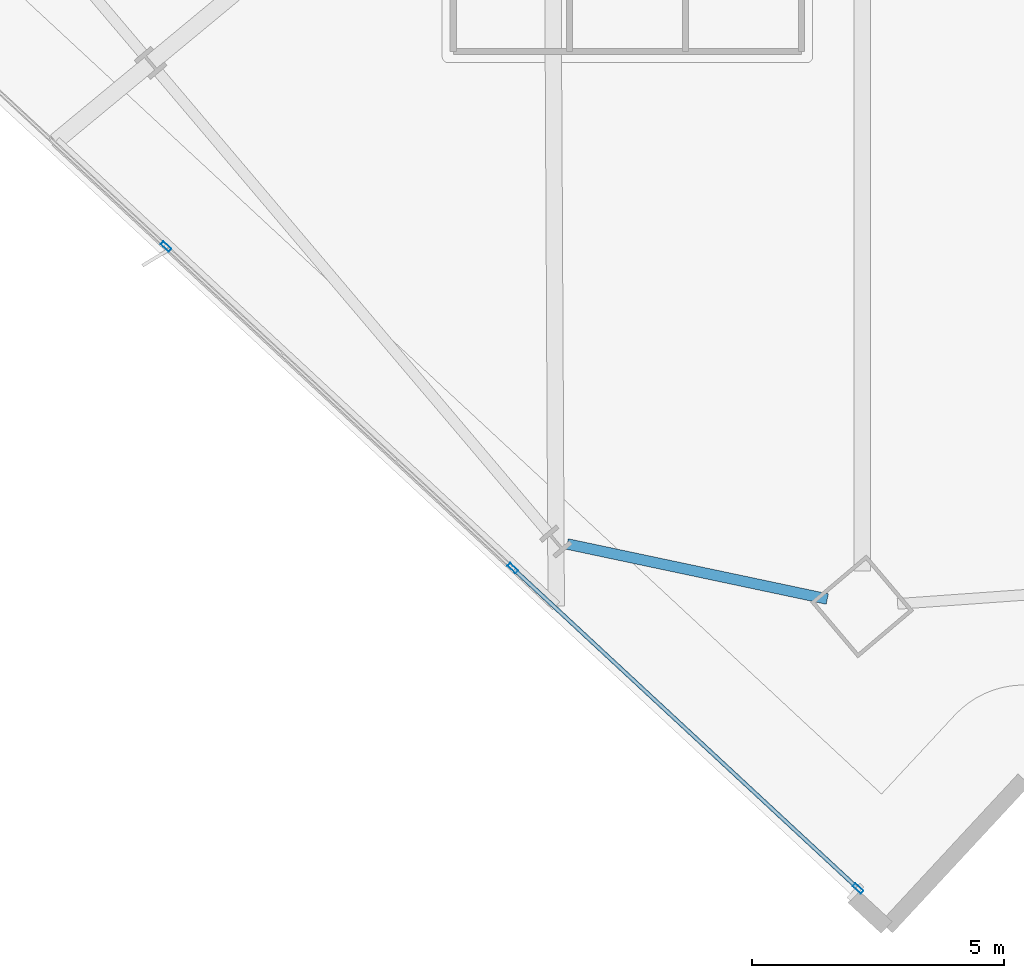
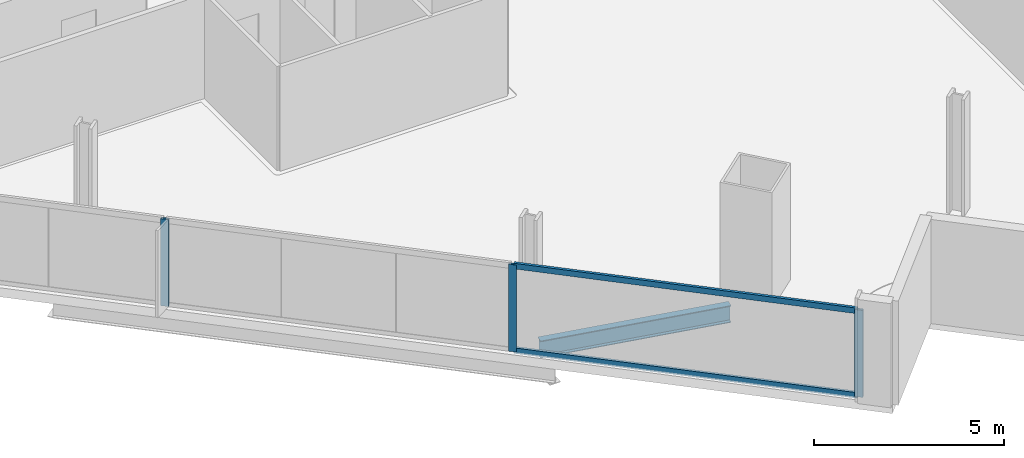
# One storey, part 2 of 32: 5 members, 1 beam, 1 element without a shape of its own.
"""IFC4 building model written with IfcOpenShell, lengths in metres."""

from ifc_helpers import new_model, si_unit, direction, frame, origin, origin_2d, place, context, subcontext, project, spatial, hollow_rectangle, i_section, extrude, material, material_profile, profile_set, type_object, element, aggregate, save


model = new_model("IFC4")

# Units and contexts
model_context = context("Model", 3, precision=1e-05, world=origin(), true_north=direction((0.0, 1.0)))
body_context = subcontext(model_context, "Body", "Model", "MODEL_VIEW")
ifc_project = project(units=[si_unit("LENGTHUNIT", "METRE"), si_unit("AREAUNIT", "SQUARE_METRE"), si_unit("VOLUMEUNIT", "CUBIC_METRE"), si_unit("PLANEANGLEUNIT", "RADIAN"), si_unit("MASSUNIT", "GRAM", prefix="KILO")], contexts=[model_context])

# Site, building, storey
site_placement = place(None, origin())
site = spatial("IfcSite", under=ifc_project, at=site_placement, CompositionType="ELEMENT")
building_placement = place(site_placement, origin())
building = spatial("IfcBuilding", under=site, at=building_placement, Name="Haldenkirk Collegiate Tower", CompositionType="ELEMENT")
storey_placement = place(building_placement, frame((0.0, 0.0, 185.699951171875)))
storey = spatial("IfcBuildingStorey", under=building, at=storey_placement, Name="L46", CompositionType="ELEMENT", Elevation=185.699951171875)

# Beam
ifc_material_1 = material(Name="Steel ASTM A992 Grade 50", Category="steel")
ifc_material_profile_1 = material_profile(ifc_material_1, i_section(OverallWidth=0.2119140625, OverallDepth=0.5439453125, WebThickness=0.01318359375, FlangeThickness=0.021240234375, at=origin_2d()), Name="W21X83")
ifc_profile_set_1 = profile_set([ifc_material_profile_1], Name="Steel ASTM A992 Grade 50")
beam_type = type_object("IfcBeamType", Name="BM-SPANDREL-W21X83", PredefinedType="SPANDREL", material=ifc_profile_set_1)
beam_placement = place(storey_placement, frame((27.306884765625, 1.89501953125, -0.56201171875), z_axis=(0.978307627668, -0.207157393416, 0.0), x_axis=(0.207157393416, 0.978307627668, 0.0)))
element("IfcBeam", 1, at=beam_placement, inside=storey, type_object=beam_type, Name="L46 perimeter spandrel beam 16", PredefinedType="SPANDREL", context=body_context, shape_type="SweptSolid", body=[
    extrude(i_section(OverallWidth=0.2119140625, OverallDepth=0.5439453125, WebThickness=0.01318359375, FlangeThickness=0.021240234375, at=origin_2d()), origin(), (0.0, 0.0, 1.0), 5.266845703125),
])

# Curtain wall, members
ifc_material_2 = material(Name="Anodised architectural bronze aluminium", Category="aluminium")
curtain_wall_type = type_object("IfcCurtainWallType", Name="CW-SYS1-CONVEX-LOW", PredefinedType="USERDEFINED", material=ifc_material_2)
curtain_wall_placement = place(storey_placement, origin())
curtain_wall = element("IfcCurtainWall", 2, at=curtain_wall_placement, inside=storey, type_object=curtain_wall_type, Name="L46 Lower tower convex bronze-framed unitised curtain wall", ObjectType="UNITISED CURTAIN WALL", PredefinedType="USERDEFINED")
ifc_material_profile_2 = material_profile(ifc_material_2, hollow_rectangle(XDim=0.080078125, YDim=0.219970703125, WallThickness=0.0048828125, at=origin_2d()), Name="CW-MUL-1A")
ifc_profile_set_2 = profile_set([ifc_material_profile_2], Name="Anodised architectural bronze aluminium")
member_type_1 = type_object("IfcMemberType", Name="CW-MUL-1A", PredefinedType="MULLION", material=ifc_profile_set_2)
member_1_placement = place(storey_placement, frame((33.067626953125, -4.9296875, 0.0), z_axis=(0.0, 0.0, 1.0), x_axis=(-0.680080602637, -0.733137349967, 0.0)))
member_1 = element("IfcMember", 3, at=member_1_placement, type_object=member_type_1, Name="CW-1A mullion 1", PredefinedType="MULLION", context=body_context, shape_type="SweptSolid", body=[
    extrude(hollow_rectangle(XDim=0.080078125, YDim=0.219970703125, WallThickness=0.0048828125, at=origin_2d()), origin(), (0.0, 0.0, 1.0), 2.791015625),
])
member_2_placement = place(storey_placement, frame((26.228515625, 1.41455078125, 0.0), z_axis=(0.0, 0.0, 1.0), x_axis=(-0.680080602637, -0.733137349967, 0.0)))
member_2 = element("IfcMember", 4, at=member_2_placement, type_object=member_type_1, Name="CW-1A mullion 2", PredefinedType="MULLION", context=body_context, shape_type="SweptSolid", body=[
    extrude(hollow_rectangle(XDim=0.080078125, YDim=0.219970703125, WallThickness=0.0048828125, at=origin_2d()), origin(), (0.0, 0.0, 1.0), 2.791015625),
])
member_3_placement = place(storey_placement, frame((19.35986328125, 7.785888671875, 0.0), z_axis=(0.0, 0.0, 1.0), x_axis=(-0.680080602637, -0.733137349967, 0.0)))
member_3 = element("IfcMember", 5, at=member_3_placement, type_object=member_type_1, Name="CW-1A mullion 3", PredefinedType="MULLION", context=body_context, shape_type="SweptSolid", body=[
    extrude(hollow_rectangle(XDim=0.080078125, YDim=0.219970703125, WallThickness=0.0048828125, at=origin_2d()), origin(), (0.0, 0.0, 1.0), 2.791015625),
])
ifc_material_profile_3 = material_profile(ifc_material_2, hollow_rectangle(XDim=0.080078125, YDim=0.179931640625, WallThickness=0.0048828125, at=origin_2d()), Name="CW-TRN-1A")
ifc_profile_set_3 = profile_set([ifc_material_profile_3], Name="Anodised architectural bronze aluminium")
member_type_2 = type_object("IfcMemberType", Name="CW-TRN-1A", PredefinedType="USERDEFINED", material=ifc_profile_set_3)
member_4_placement = place(storey_placement, frame((33.038330078125, -4.902587890625, 0.0400390625), z_axis=(-0.733138445601, 0.680079421525, 0.0), x_axis=(-0.680079421525, -0.733138445601, 0.0)))
member_4 = element("IfcMember", 6, at=member_4_placement, type_object=member_type_2, Name="CW-1A transom 1.1", ObjectType="TRANSOM", PredefinedType="USERDEFINED", context=body_context, shape_type="SweptSolid", body=[
    extrude(hollow_rectangle(XDim=0.080078125, YDim=0.179931640625, WallThickness=0.0048828125, at=origin_2d()), origin(), (0.0, 0.0, 1.0), 9.24853515625),
])
member_5_placement = place(storey_placement, frame((33.038330078125, -4.902587890625, 2.7509765625), z_axis=(-0.733138445601, 0.680079421525, 0.0), x_axis=(-0.680079421525, -0.733138445601, 0.0)))
member_5 = element("IfcMember", 7, at=member_5_placement, type_object=member_type_2, Name="CW-1A transom 1.2", ObjectType="TRANSOM", PredefinedType="USERDEFINED", context=body_context, shape_type="SweptSolid", body=[
    extrude(hollow_rectangle(XDim=0.080078125, YDim=0.179931640625, WallThickness=0.0048828125, at=origin_2d()), origin(), (0.0, 0.0, 1.0), 9.24853515625),
])
aggregate(curtain_wall, [member_1, member_2, member_3, member_4, member_5])

save(model, "model.ifc")
